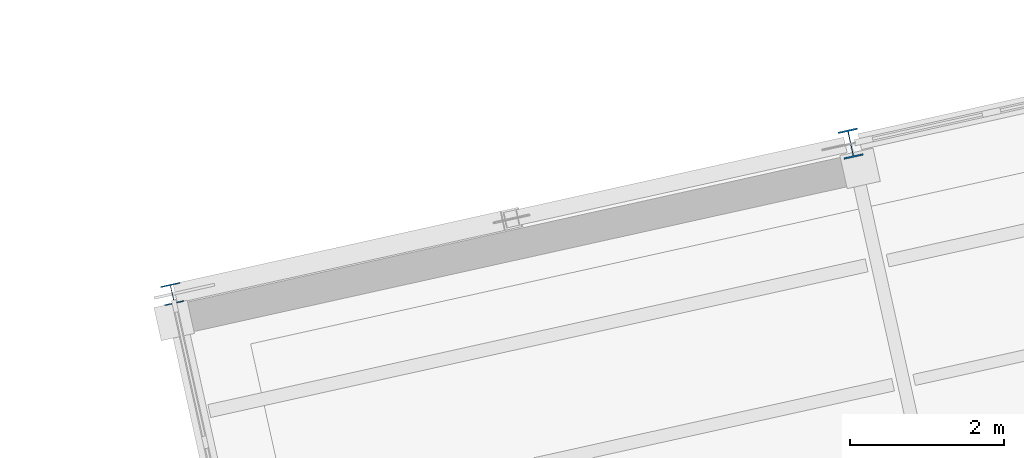
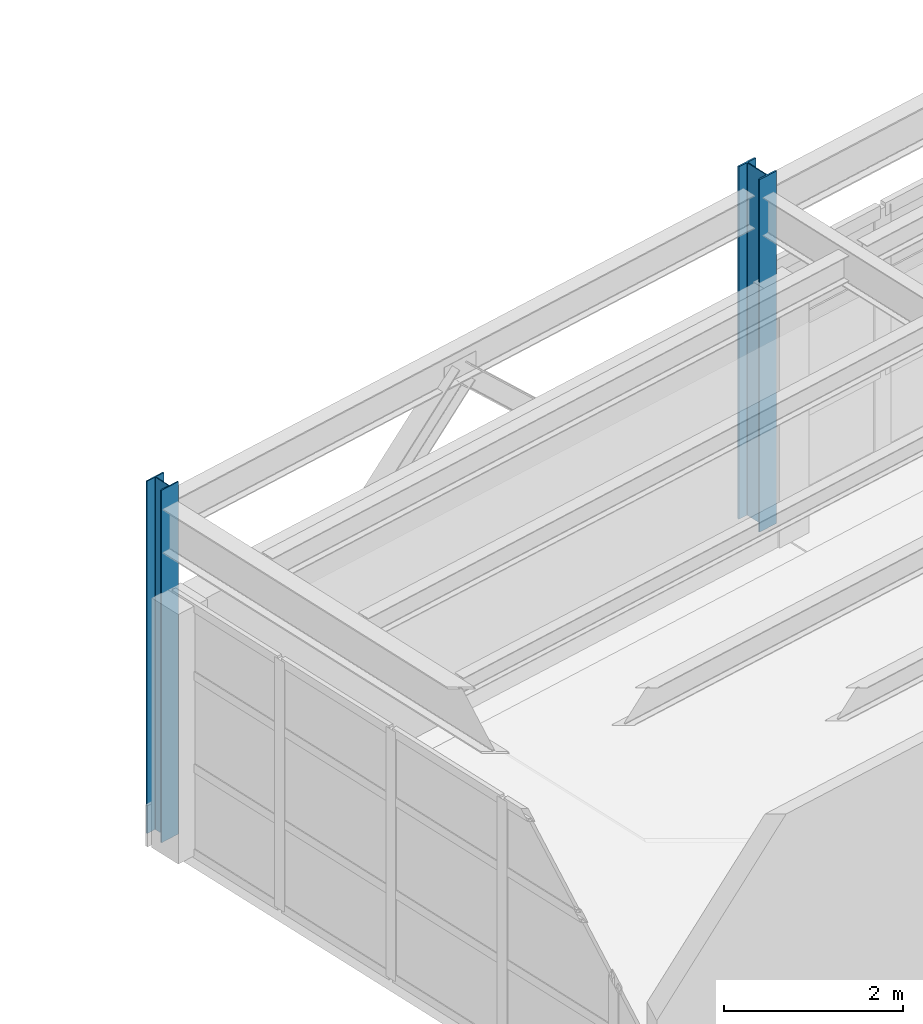
# One storey, part 16 of 109: 2 columns.
"""IFC4 building model written with IfcOpenShell, lengths in metres."""

from ifc_helpers import new_model, si_unit, direction, frame, origin, origin_2d, place, context, subcontext, project, spatial, i_section, extrude, material, material_profile, profile_set, type_object, element, save


model = new_model("IFC4")

# Units and contexts
model_context = context("Model", 3, precision=1e-05, world=origin(), true_north=direction((0.0, 1.0)))
body_context = subcontext(model_context, "Body", "Model", "MODEL_VIEW")
ifc_project = project(units=[si_unit("LENGTHUNIT", "METRE"), si_unit("AREAUNIT", "SQUARE_METRE"), si_unit("VOLUMEUNIT", "CUBIC_METRE"), si_unit("PLANEANGLEUNIT", "RADIAN"), si_unit("MASSUNIT", "GRAM", prefix="KILO")], contexts=[model_context])

# Site, building, storey
site_placement = place(None, origin())
site = spatial("IfcSite", under=ifc_project, at=site_placement, CompositionType="ELEMENT")
building_placement = place(site_placement, origin())
building = spatial("IfcBuilding", under=site, at=building_placement, Name="Vireo Bluff Cable Station", CompositionType="ELEMENT")
storey_placement = place(building_placement, frame((0.0, 0.0, 4.800048828125)))
storey = spatial("IfcBuildingStorey", under=building, at=storey_placement, Name="L01", CompositionType="ELEMENT", Elevation=4.800048828125)

# Columns
ifc_material = material(Name="Steel ASTM A992 Gr. 50", Category="steel")
ifc_material_profile_1 = material_profile(ifc_material, i_section(OverallWidth=0.257080078125, OverallDepth=0.363037109375, WebThickness=0.012939453125, FlangeThickness=0.021728515625, FilletRadius=0.014892578125, at=origin_2d()), Name="W14X82")
ifc_profile_set_1 = profile_set([ifc_material_profile_1], Name="Steel ASTM A992 Gr. 50")
column_type_1 = type_object("IfcColumnType", Name="ECOL-W14X82", PredefinedType="COLUMN", material=ifc_profile_set_1)
column_1_placement = place(storey_placement, frame((128.6181640625, 103.7724609375, 0.0), z_axis=(0.0, 0.0, 1.0), x_axis=(0.97629600712, 0.216439613938, 0.0)))
element("IfcColumn", 1, at=column_1_placement, inside=storey, type_object=column_type_1, Name="V2 L01 column 147", PredefinedType="COLUMN", context=body_context, shape_type="SweptSolid", body=[
    extrude(i_section(OverallWidth=0.257080078125, OverallDepth=0.363037109375, WebThickness=0.012939453125, FlangeThickness=0.021728515625, FilletRadius=0.014892578125, at=origin_2d()), origin(), (0.0, 0.0, 1.0), 4.800048828125),
])
ifc_material_profile_2 = material_profile(ifc_material, i_section(OverallWidth=0.2548828125, OverallDepth=0.256103515625, WebThickness=0.009521484375, FlangeThickness=0.015625, FilletRadius=0.009033203125, at=origin_2d()), Name="W10X54")
ifc_profile_set_2 = profile_set([ifc_material_profile_2], Name="Steel ASTM A992 Gr. 50")
column_type_2 = type_object("IfcColumnType", Name="PIL-W10X54", PredefinedType="PILASTER", material=ifc_profile_set_2)
column_2_placement = place(storey_placement, frame((119.83154296875, 101.824462890625, 0.0), z_axis=(0.0, 0.0, 1.0), x_axis=(0.97629600712, 0.216439613938, 0.0)))
element("IfcColumn", 2, at=column_2_placement, inside=storey, type_object=column_type_2, Name="V2 L01 column 133", PredefinedType="PILASTER", context=body_context, shape_type="SweptSolid", body=[
    extrude(i_section(OverallWidth=0.2548828125, OverallDepth=0.256103515625, WebThickness=0.009521484375, FlangeThickness=0.015625, FilletRadius=0.009033203125, at=origin_2d()), origin(), (0.0, 0.0, 1.0), 4.800048828125),
])

save(model, "model.ifc")
